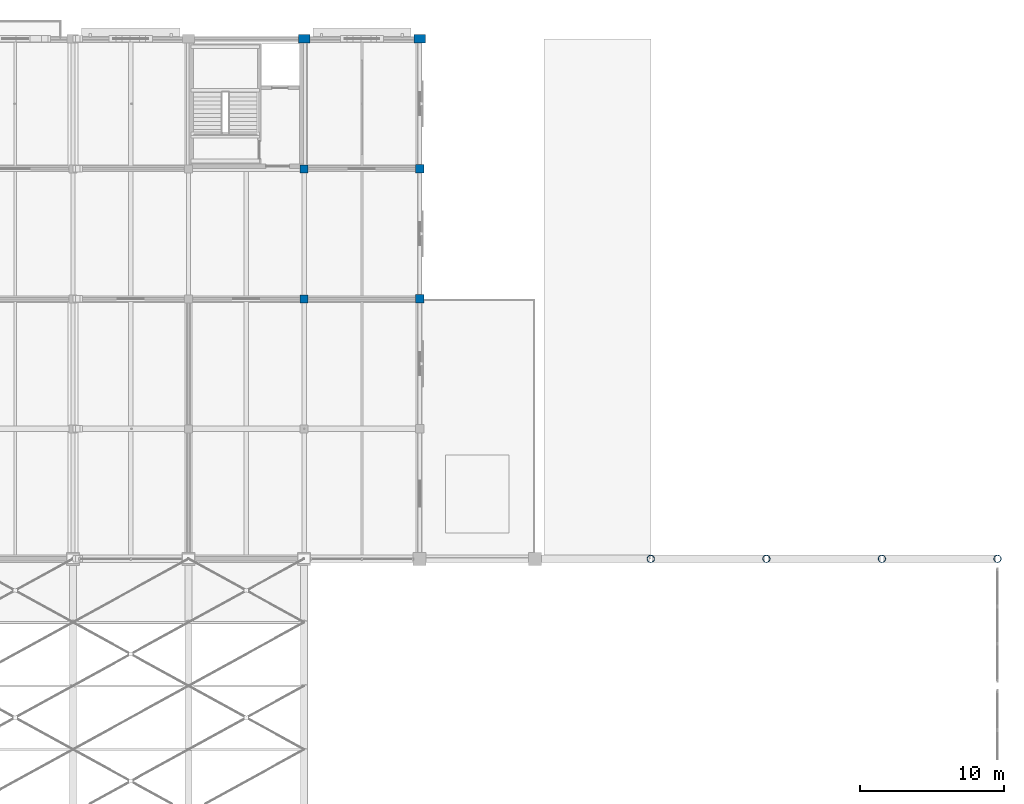
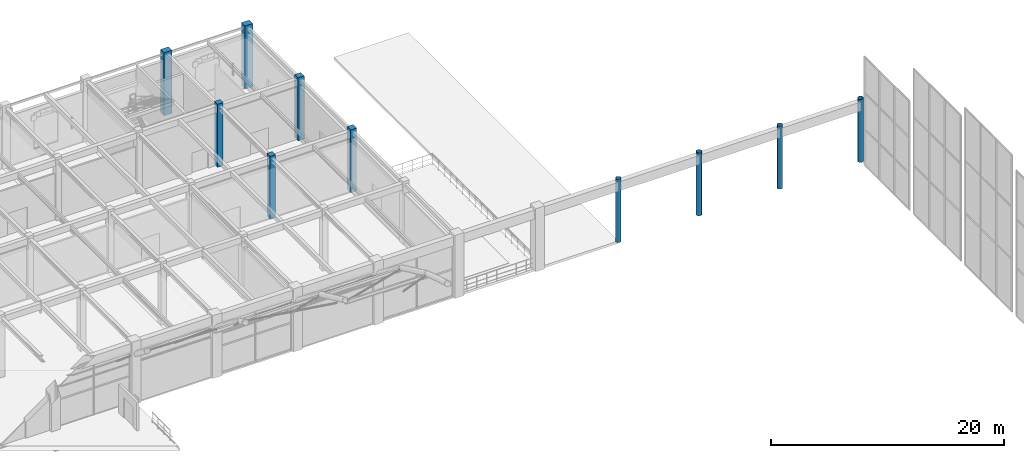
# One storey, part 7 of 163: 10 columns.
"""IFC4 building model written with IfcOpenShell, lengths in metres."""

from ifc_helpers import new_model, si_unit, direction, frame, origin, origin_2d, place, context, subcontext, project, spatial, rectangle, hollow_circle, extrude, material, material_profile, profile_set, type_object, element, save


model = new_model("IFC4")

# Units and contexts
model_context = context("Model", 3, precision=1e-05, world=origin(), true_north=direction((0.0, 1.0)))
body_context = subcontext(model_context, "Body", "Model", "MODEL_VIEW")
ifc_project = project(units=[si_unit("LENGTHUNIT", "METRE"), si_unit("AREAUNIT", "SQUARE_METRE"), si_unit("VOLUMEUNIT", "CUBIC_METRE"), si_unit("PLANEANGLEUNIT", "RADIAN"), si_unit("MASSUNIT", "GRAM", prefix="KILO")], contexts=[model_context])

# Site, building, storey
site_placement = place(None, origin())
site = spatial("IfcSite", under=ifc_project, at=site_placement, CompositionType="ELEMENT")
building_placement = place(site_placement, origin())
building = spatial("IfcBuilding", under=site, at=building_placement, Name="Varnabhumi Central Station", CompositionType="ELEMENT")
storey_placement = place(building_placement, frame((0.0, 0.0, 9.60009765625)))
storey = spatial("IfcBuildingStorey", under=building, at=storey_placement, Name="L02", CompositionType="ELEMENT", Elevation=9.60009765625)

# Columns
ifc_material_1 = material(Name="Structural steel E350", Category="steel")
ifc_material_profile_1 = material_profile(ifc_material_1, hollow_circle(Radius=0.25390625, WallThickness=0.02001953125, at=origin_2d()), Name="Structural steel E350", Category="steel")
ifc_profile_set_1 = profile_set([ifc_material_profile_1], Name="Structural steel E350")
column_type_1 = type_object("IfcColumnType", Name="COL-MAST-CHS508", PredefinedType="COLUMN", material=ifc_profile_set_1)
for number, where, z_axis, x_axis, name in (
    (1, (160.0, 80.0, 0.0), (0.0, 0.0, 1.0), (1.0, 0.0, 0.0), "Vault Mast L02-21K"),
    (2, (168.0, 80.0, 0.0), (0.0, 0.0, 1.0), (1.0, 0.0, 0.0), "Vault Mast L02-22K"),
    (3, (176.0, 80.0, 0.0), (0.0, 0.0, 1.0), (1.0, 0.0, 0.0), "Vault Mast L02-23K"),
    (4, (184.0, 80.0, 0.0), (0.0, 0.0, 1.0), (1.0, 0.0, 0.0), "Vault Mast L02-24K"),
):
    element("IfcColumn", number, at=place(storey_placement, frame(where, z_axis=z_axis, x_axis=x_axis)), inside=storey, type_object=column_type_1, Name=name, PredefinedType="COLUMN", context=body_context, shape_type="SweptSolid", body=[
        extrude(hollow_circle(Radius=0.25390625, WallThickness=0.02001953125, at=origin_2d()), origin(), (0.0, 0.0, 1.0), 6.599853515625),
    ])
ifc_material_2 = material(Name="Concrete M40", Category="concrete")
ifc_material_profile_2 = material_profile(ifc_material_2, rectangle(XDim=0.60009765625, YDim=0.60009765625, at=origin_2d()), Name="Concrete M40", Category="concrete")
ifc_profile_set_2 = profile_set([ifc_material_profile_2], Name="Concrete M40")
column_type_2 = type_object("IfcColumnType", Name="COL-NORTH-600", PredefinedType="COLUMN", material=ifc_profile_set_2)
for number, where, z_axis, x_axis, name in (
    (5, (144.0, 98.0, 0.0), (0.0, 0.0, 1.0), (1.0, 0.0, 0.0), "Column L02-19M"),
    (6, (144.0, 107.0, 0.0), (0.0, 0.0, 1.0), (1.0, 0.0, 0.0), "Column L02-19N"),
):
    element("IfcColumn", number, at=place(storey_placement, frame(where, z_axis=z_axis, x_axis=x_axis)), inside=storey, type_object=column_type_2, Name=name, PredefinedType="COLUMN", context=body_context, shape_type="SweptSolid", body=[
        extrude(rectangle(XDim=0.60009765625, YDim=0.60009765625, at=origin_2d()), origin(), (0.0, 0.0, 1.0), 6.599853515625),
    ])
ifc_material_profile_3 = material_profile(ifc_material_2, rectangle(XDim=0.550048828125, YDim=0.550048828125, at=origin_2d()), Name="Concrete M40", Category="concrete")
ifc_profile_set_3 = profile_set([ifc_material_profile_3], Name="Concrete M40")
column_type_3 = type_object("IfcColumnType", Name="COL-RC-550", PredefinedType="COLUMN", material=ifc_profile_set_3)
for number, where, z_axis, x_axis, name in (
    (7, (136.0, 98.0, 0.0), (0.0, 0.0, 1.0), (1.0, 0.0, 0.0), "Column L02-18M"),
    (8, (136.0, 107.0, 0.0), (0.0, 0.0, 1.0), (1.0, 0.0, 0.0), "Column L02-18N"),
):
    element("IfcColumn", number, at=place(storey_placement, frame(where, z_axis=z_axis, x_axis=x_axis)), inside=storey, type_object=column_type_3, Name=name, PredefinedType="COLUMN", context=body_context, shape_type="SweptSolid", body=[
        extrude(rectangle(XDim=0.550048828125, YDim=0.550048828125, at=origin_2d()), origin(), (0.0, 0.0, 1.0), 6.599853515625),
    ])
ifc_material_profile_4 = material_profile(ifc_material_2, rectangle(XDim=0.800048828125, YDim=0.60009765625, at=origin_2d()), Name="Concrete M40", Category="concrete")
ifc_profile_set_4 = profile_set([ifc_material_profile_4], Name="Concrete M40")
column_type_4 = type_object("IfcColumnType", Name="COL-RC-800x600", PredefinedType="PILASTER", material=ifc_profile_set_4)
for number, where, z_axis, x_axis, name in (
    (9, (136.0, 116.0, 0.0), (0.0, 0.0, 1.0), (1.0, 0.0, 0.0), "Column L02-18P"),
    (10, (144.0, 116.0, 0.0), (0.0, 0.0, 1.0), (1.0, 0.0, 0.0), "Column L02-19P"),
):
    element("IfcColumn", number, at=place(storey_placement, frame(where, z_axis=z_axis, x_axis=x_axis)), inside=storey, type_object=column_type_4, Name=name, PredefinedType="PILASTER", context=body_context, shape_type="SweptSolid", body=[
        extrude(rectangle(XDim=0.800048828125, YDim=0.60009765625, at=origin_2d()), origin(), (0.0, 0.0, 1.0), 6.599853515625),
    ])

save(model, "model.ifc")
